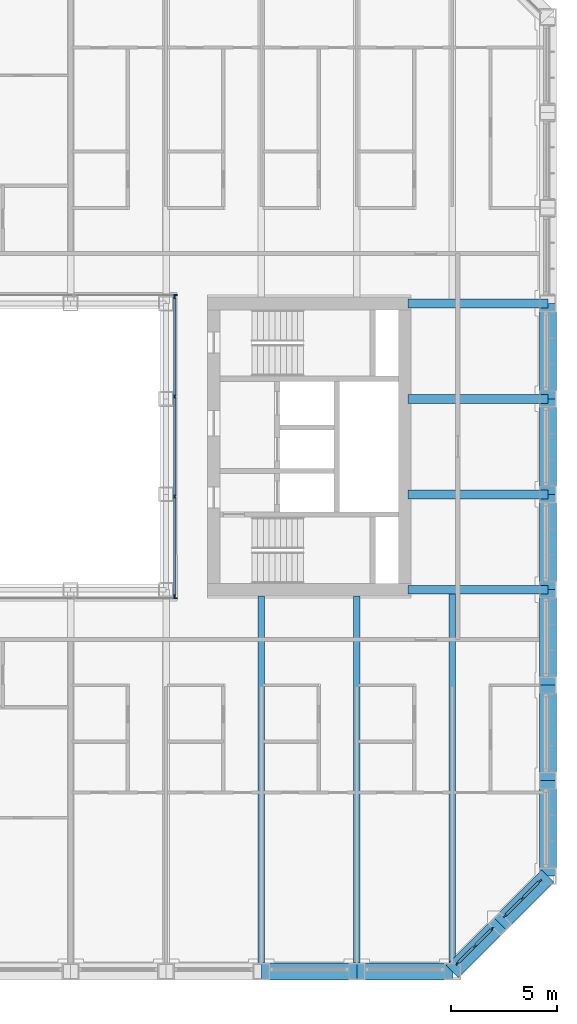
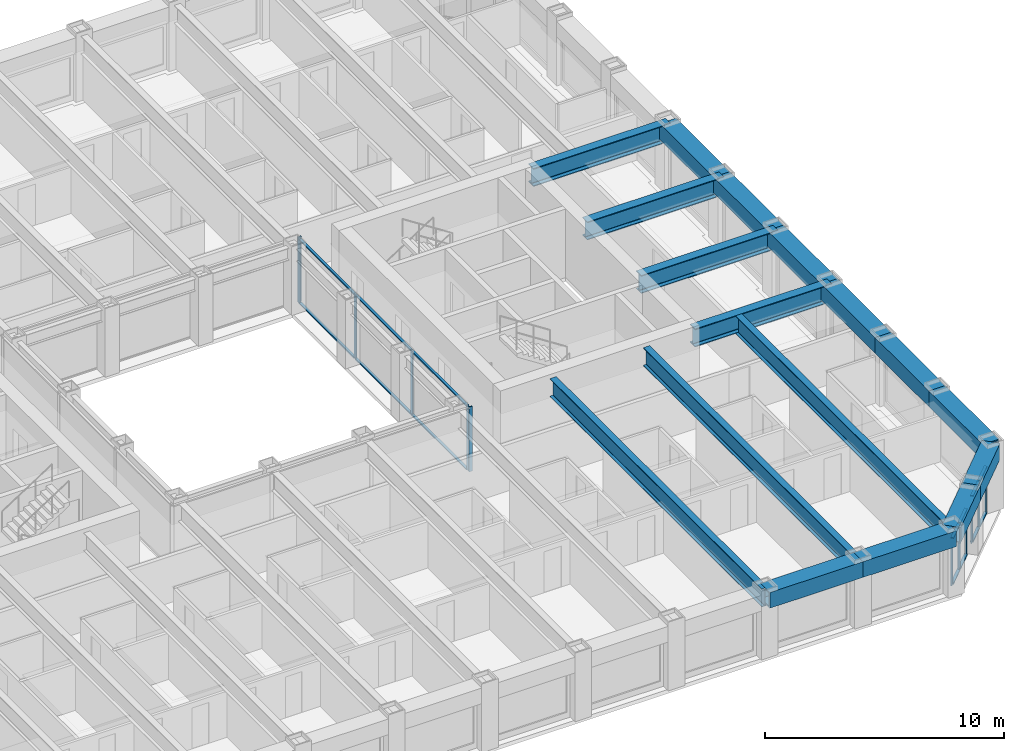
# One storey, part 5 of 21: 26 members, 17 beams, 5 elements without a shape of their own.
"""IFC4 building model written with IfcOpenShell, lengths in metres."""

from ifc_helpers import new_model, si_unit, direction, frame, origin, origin_2d, place, context, subcontext, project, spatial, rectangle, hollow_rectangle, i_section, extrude, material, material_profile, profile_set, type_object, element, aggregate, save


model = new_model("IFC4")

# Units and contexts
model_context = context("Model", 3, precision=1e-05, world=origin(), true_north=direction((0.0, 1.0)))
body_context = subcontext(model_context, "Body", "Model", "MODEL_VIEW")
ifc_project = project(units=[si_unit("LENGTHUNIT", "METRE"), si_unit("AREAUNIT", "SQUARE_METRE"), si_unit("VOLUMEUNIT", "CUBIC_METRE"), si_unit("PLANEANGLEUNIT", "RADIAN"), si_unit("MASSUNIT", "GRAM", prefix="KILO")], contexts=[model_context])

# Site, building, storey
site_placement = place(None, origin())
site = spatial("IfcSite", under=ifc_project, at=site_placement, CompositionType="ELEMENT")
building_placement = place(site_placement, origin())
building = spatial("IfcBuilding", under=site, at=building_placement, Name="Msasa Ring Tower", CompositionType="ELEMENT")
storey_placement = place(building_placement, frame((0.0, 0.0, 100.0)))
storey = spatial("IfcBuildingStorey", under=building, at=storey_placement, Name="L26", CompositionType="ELEMENT", Elevation=100.0)

# Curtain wall, members
ifc_material_1 = material(Name="Aluminium curtain wall with clear glass", Category="aluminium")
curtain_wall_type_1 = type_object("IfcCurtainWallType", Name="CW-C CHAMFER CORNER CURTAIN WALL", PredefinedType="NOTDEFINED", material=ifc_material_1)
curtain_wall_1_placement = place(storey_placement, origin())
curtain_wall_1 = element("IfcCurtainWall", 1, at=curtain_wall_1_placement, inside=storey, type_object=curtain_wall_type_1, Name="Chamfer corner curtain wall SE L26", PredefinedType="NOTDEFINED")
ifc_material_2 = material(Name="Aluminium mullion", Category="aluminium")
ifc_material_profile_1 = material_profile(ifc_material_2, rectangle(XDim=0.06494140625, YDim=0.179931640625, at=origin_2d()), Name="AL 65x180")
ifc_profile_set_1 = profile_set([ifc_material_profile_1], Name="Aluminium mullion")
member_type_1 = type_object("IfcMemberType", Name="CW-C MULLION 65x180", PredefinedType="MULLION", material=ifc_profile_set_1)
member_1_placement = place(storey_placement, frame((20.48876953125, -24.369873046875, 0.0), z_axis=(0.0, 0.0, 1.0), x_axis=(-0.707106781187, 0.707106781187, 0.0)))
member_1 = element("IfcMember", 2, at=member_1_placement, type_object=member_type_1, Name="CW-C mullion 1", PredefinedType="MULLION", context=body_context, shape_type="SweptSolid", body=[
    extrude(rectangle(XDim=0.06494140625, YDim=0.179931640625, at=origin_2d()), origin(), (0.0, 0.0, 1.0), 2.37890625),
])
member_2_placement = place(storey_placement, frame((21.30419921875, -23.55419921875, 0.0), z_axis=(0.0, 0.0, 1.0), x_axis=(-0.707106781187, 0.707106781187, 0.0)))
member_2 = element("IfcMember", 3, at=member_2_placement, type_object=member_type_1, Name="CW-C mullion 2", PredefinedType="MULLION", context=body_context, shape_type="SweptSolid", body=[
    extrude(rectangle(XDim=0.06494140625, YDim=0.179931640625, at=origin_2d()), origin(), (0.0, 0.0, 1.0), 2.37890625),
])
member_3_placement = place(storey_placement, frame((22.119873046875, -22.73876953125, 0.0), z_axis=(0.0, 0.0, 1.0), x_axis=(-0.707106781187, 0.707106781187, 0.0)))
member_3 = element("IfcMember", 4, at=member_3_placement, type_object=member_type_1, Name="CW-C mullion 3", PredefinedType="MULLION", context=body_context, shape_type="SweptSolid", body=[
    extrude(rectangle(XDim=0.06494140625, YDim=0.179931640625, at=origin_2d()), origin(), (0.0, 0.0, 1.0), 2.37890625),
])

curtain_wall_2_placement = place(storey_placement, origin())
curtain_wall_2 = element("IfcCurtainWall", 5, at=curtain_wall_2_placement, inside=storey, type_object=curtain_wall_type_1, Name="Chamfer corner curtain wall SE L26", PredefinedType="NOTDEFINED")
member_4_placement = place(storey_placement, frame((22.73876953125, -22.119873046875, 0.0), z_axis=(0.0, 0.0, 1.0), x_axis=(-0.707106781187, 0.707106781187, 0.0)))
member_4 = element("IfcMember", 6, at=member_4_placement, type_object=member_type_1, Name="CW-C mullion 1", PredefinedType="MULLION", context=body_context, shape_type="SweptSolid", body=[
    extrude(rectangle(XDim=0.06494140625, YDim=0.179931640625, at=origin_2d()), origin(), (0.0, 0.0, 1.0), 2.37890625),
])
member_5_placement = place(storey_placement, frame((23.55419921875, -21.30419921875, 0.0), z_axis=(0.0, 0.0, 1.0), x_axis=(-0.707106781187, 0.707106781187, 0.0)))
member_5 = element("IfcMember", 7, at=member_5_placement, type_object=member_type_1, Name="CW-C mullion 2", PredefinedType="MULLION", context=body_context, shape_type="SweptSolid", body=[
    extrude(rectangle(XDim=0.06494140625, YDim=0.179931640625, at=origin_2d()), origin(), (0.0, 0.0, 1.0), 2.37890625),
])
member_6_placement = place(storey_placement, frame((24.369873046875, -20.48876953125, 0.0), z_axis=(0.0, 0.0, 1.0), x_axis=(-0.707106781187, 0.707106781187, 0.0)))
member_6 = element("IfcMember", 8, at=member_6_placement, type_object=member_type_1, Name="CW-C mullion 3", PredefinedType="MULLION", context=body_context, shape_type="SweptSolid", body=[
    extrude(rectangle(XDim=0.06494140625, YDim=0.179931640625, at=origin_2d()), origin(), (0.0, 0.0, 1.0), 2.37890625),
])

# Member
ifc_material_3 = material(Name="Aluminium transom", Category="aluminium")
ifc_material_profile_2 = material_profile(ifc_material_3, rectangle(XDim=0.139892578125, YDim=0.06494140625, at=origin_2d()), Name="AL 65x140")
ifc_profile_set_2 = profile_set([ifc_material_profile_2], Name="Aluminium transom")
member_type_2 = type_object("IfcMemberType", Name="CW-C TRANSOM 65x140", PredefinedType="USERDEFINED", material=ifc_profile_set_2)
member_7_placement = place(storey_placement, frame((20.51171875, -24.346923828125, 0.032470703125), z_axis=(0.707106781187, 0.707106781187, 0.0), x_axis=(-0.707106781187, 0.707106781187, 0.0)))
member_7 = element("IfcMember", 9, at=member_7_placement, type_object=member_type_2, Name="CW-C transom 1.1", ObjectType="TRANSOM", PredefinedType="USERDEFINED", context=body_context, shape_type="SweptSolid", body=[
    extrude(rectangle(XDim=0.139892578125, YDim=0.06494140625, at=origin_2d()), origin(), (0.0, 0.0, 1.0), 1.08837890625),
])

member_8_placement = place(storey_placement, frame((20.51171875, -24.346923828125, 2.346435546875), z_axis=(0.707106781187, 0.707106781187, 0.0), x_axis=(-0.707106781187, 0.707106781187, 0.0)))
member_8 = element("IfcMember", 10, at=member_8_placement, type_object=member_type_2, Name="CW-C transom 1.2", ObjectType="TRANSOM", PredefinedType="USERDEFINED", context=body_context, shape_type="SweptSolid", body=[
    extrude(rectangle(XDim=0.139892578125, YDim=0.06494140625, at=origin_2d()), origin(), (0.0, 0.0, 1.0), 1.08837890625),
])

member_9_placement = place(storey_placement, frame((21.327392578125, -23.53125, 0.032470703125), z_axis=(0.707106781187, 0.707106781187, 0.0), x_axis=(-0.707106781187, 0.707106781187, 0.0)))
member_9 = element("IfcMember", 11, at=member_9_placement, type_object=member_type_2, Name="CW-C transom 2.1", ObjectType="TRANSOM", PredefinedType="USERDEFINED", context=body_context, shape_type="SweptSolid", body=[
    extrude(rectangle(XDim=0.139892578125, YDim=0.06494140625, at=origin_2d()), origin(), (0.0, 0.0, 1.0), 1.08837890625),
])

member_10_placement = place(storey_placement, frame((21.327392578125, -23.53125, 2.346435546875), z_axis=(0.707106781187, 0.707106781187, 0.0), x_axis=(-0.707106781187, 0.707106781187, 0.0)))
member_10 = element("IfcMember", 12, at=member_10_placement, type_object=member_type_2, Name="CW-C transom 2.2", ObjectType="TRANSOM", PredefinedType="USERDEFINED", context=body_context, shape_type="SweptSolid", body=[
    extrude(rectangle(XDim=0.139892578125, YDim=0.06494140625, at=origin_2d()), origin(), (0.0, 0.0, 1.0), 1.08837890625),
])

aggregate(curtain_wall_1, [member_1, member_2, member_3, member_7, member_8, member_9, member_10])

member_11_placement = place(storey_placement, frame((22.76171875, -22.096923828125, 0.032470703125), z_axis=(0.707106781187, 0.707106781187, 0.0), x_axis=(-0.707106781187, 0.707106781187, 0.0)))
member_11 = element("IfcMember", 13, at=member_11_placement, type_object=member_type_2, Name="CW-C transom 1.1", ObjectType="TRANSOM", PredefinedType="USERDEFINED", context=body_context, shape_type="SweptSolid", body=[
    extrude(rectangle(XDim=0.139892578125, YDim=0.06494140625, at=origin_2d()), origin(), (0.0, 0.0, 1.0), 1.08837890625),
])

member_12_placement = place(storey_placement, frame((22.76171875, -22.096923828125, 2.346435546875), z_axis=(0.707106781187, 0.707106781187, 0.0), x_axis=(-0.707106781187, 0.707106781187, 0.0)))
member_12 = element("IfcMember", 14, at=member_12_placement, type_object=member_type_2, Name="CW-C transom 1.2", ObjectType="TRANSOM", PredefinedType="USERDEFINED", context=body_context, shape_type="SweptSolid", body=[
    extrude(rectangle(XDim=0.139892578125, YDim=0.06494140625, at=origin_2d()), origin(), (0.0, 0.0, 1.0), 1.08837890625),
])

member_13_placement = place(storey_placement, frame((23.577392578125, -21.28125, 0.032470703125), z_axis=(0.707106781187, 0.707106781187, 0.0), x_axis=(-0.707106781187, 0.707106781187, 0.0)))
member_13 = element("IfcMember", 15, at=member_13_placement, type_object=member_type_2, Name="CW-C transom 2.1", ObjectType="TRANSOM", PredefinedType="USERDEFINED", context=body_context, shape_type="SweptSolid", body=[
    extrude(rectangle(XDim=0.139892578125, YDim=0.06494140625, at=origin_2d()), origin(), (0.0, 0.0, 1.0), 1.08837890625),
])

member_14_placement = place(storey_placement, frame((23.577392578125, -21.28125, 2.346435546875), z_axis=(0.707106781187, 0.707106781187, 0.0), x_axis=(-0.707106781187, 0.707106781187, 0.0)))
member_14 = element("IfcMember", 16, at=member_14_placement, type_object=member_type_2, Name="CW-C transom 2.2", ObjectType="TRANSOM", PredefinedType="USERDEFINED", context=body_context, shape_type="SweptSolid", body=[
    extrude(rectangle(XDim=0.139892578125, YDim=0.06494140625, at=origin_2d()), origin(), (0.0, 0.0, 1.0), 1.08837890625),
])

aggregate(curtain_wall_2, [member_4, member_5, member_6, member_11, member_12, member_13, member_14])

# Curtain wall, member
ifc_material_4 = material(Name="Aluminium curtain wall with clear glass", Category="aluminium")
curtain_wall_type_2 = type_object("IfcCurtainWallType", Name="CW-W LIGHT WELL CURTAIN WALL", PredefinedType="NOTDEFINED", material=ifc_material_4)
curtain_wall_3_placement = place(storey_placement, origin())
curtain_wall_3 = element("IfcCurtainWall", 17, at=curtain_wall_3_placement, inside=storey, type_object=curtain_wall_type_2, Name="Light well curtain wall N L26", PredefinedType="NOTDEFINED")
ifc_material_5 = material(Name="Aluminium mullion", Category="aluminium")
ifc_material_profile_3 = material_profile(ifc_material_5, rectangle(XDim=0.06005859375, YDim=0.159912109375, at=origin_2d()), Name="AL 60x160")
ifc_profile_set_3 = profile_set([ifc_material_profile_3], Name="Aluminium mullion")
member_type_3 = type_object("IfcMemberType", Name="CW-W MULLION 60x160", PredefinedType="MULLION", material=ifc_profile_set_3)
member_15_placement = place(storey_placement, frame((7.199951171875, 7.14990234375, 0.0), z_axis=(0.0, 0.0, 1.0), x_axis=(0.0, 1.0, 0.0)))
member_15 = element("IfcMember", 18, at=member_15_placement, type_object=member_type_3, Name="CW-W mullion 4", PredefinedType="MULLION", context=body_context, shape_type="SweptSolid", body=[
    extrude(rectangle(XDim=0.06005859375, YDim=0.159912109375, at=origin_2d()), origin(), (0.0, 0.0, 1.0), 3.300048828125),
])
aggregate(curtain_wall_3, [member_15])

curtain_wall_4_placement = place(storey_placement, origin())
curtain_wall_4 = element("IfcCurtainWall", 19, at=curtain_wall_4_placement, inside=storey, type_object=curtain_wall_type_2, Name="Light well curtain wall S L26", PredefinedType="NOTDEFINED")
member_16_placement = place(storey_placement, frame((7.199951171875, -7.14990234375, 0.0), z_axis=(0.0, 0.0, 1.0), x_axis=(0.0, 1.0, 0.0)))
member_16 = element("IfcMember", 20, at=member_16_placement, type_object=member_type_3, Name="CW-W mullion 4", PredefinedType="MULLION", context=body_context, shape_type="SweptSolid", body=[
    extrude(rectangle(XDim=0.06005859375, YDim=0.159912109375, at=origin_2d()), origin(), (0.0, 0.0, 1.0), 3.300048828125),
])
aggregate(curtain_wall_4, [member_16])

# Curtain wall, members
curtain_wall_5_placement = place(storey_placement, origin())
curtain_wall_5 = element("IfcCurtainWall", 21, at=curtain_wall_5_placement, inside=storey, type_object=curtain_wall_type_2, Name="Light well curtain wall E L26", PredefinedType="NOTDEFINED")
member_17_placement = place(storey_placement, frame((7.14990234375, -7.0400390625, 0.0), z_axis=(0.0, 0.0, 1.0), x_axis=(-1.0, 0.0, 0.0)))
member_17 = element("IfcMember", 22, at=member_17_placement, type_object=member_type_3, Name="CW-W mullion 1", PredefinedType="MULLION", context=body_context, shape_type="SweptSolid", body=[
    extrude(rectangle(XDim=0.06005859375, YDim=0.159912109375, at=origin_2d()), origin(), (0.0, 0.0, 1.0), 3.300048828125),
])
member_18_placement = place(storey_placement, frame((7.14990234375, -2.356689453125, 0.0), z_axis=(0.0, 0.0, 1.0), x_axis=(-1.0, 0.0, 0.0)))
member_18 = element("IfcMember", 23, at=member_18_placement, type_object=member_type_3, Name="CW-W mullion 2", PredefinedType="MULLION", context=body_context, shape_type="SweptSolid", body=[
    extrude(rectangle(XDim=0.06005859375, YDim=0.159912109375, at=origin_2d()), origin(), (0.0, 0.0, 1.0), 3.300048828125),
])
member_19_placement = place(storey_placement, frame((7.14990234375, 2.356689453125, 0.0), z_axis=(0.0, 0.0, 1.0), x_axis=(-1.0, 0.0, 0.0)))
member_19 = element("IfcMember", 24, at=member_19_placement, type_object=member_type_3, Name="CW-W mullion 3", PredefinedType="MULLION", context=body_context, shape_type="SweptSolid", body=[
    extrude(rectangle(XDim=0.06005859375, YDim=0.159912109375, at=origin_2d()), origin(), (0.0, 0.0, 1.0), 3.300048828125),
])
member_20_placement = place(storey_placement, frame((7.14990234375, 7.0400390625, 0.0), z_axis=(0.0, 0.0, 1.0), x_axis=(-1.0, 0.0, 0.0)))
member_20 = element("IfcMember", 25, at=member_20_placement, type_object=member_type_3, Name="CW-W mullion 4", PredefinedType="MULLION", context=body_context, shape_type="SweptSolid", body=[
    extrude(rectangle(XDim=0.06005859375, YDim=0.159912109375, at=origin_2d()), origin(), (0.0, 0.0, 1.0), 3.300048828125),
])
ifc_material_6 = material(Name="Aluminium transom", Category="aluminium")
ifc_material_profile_4 = material_profile(ifc_material_6, rectangle(XDim=0.1201171875, YDim=0.06005859375, at=origin_2d()), Name="AL 60x120")
ifc_profile_set_4 = profile_set([ifc_material_profile_4], Name="Aluminium transom")
member_type_4 = type_object("IfcMemberType", Name="CW-W TRANSOM 60x120", PredefinedType="USERDEFINED", material=ifc_profile_set_4)
member_21_placement = place(storey_placement, frame((7.14990234375, -7.010009765625, 0.030029296875), z_axis=(0.0, 1.0, 0.0), x_axis=(-1.0, 0.0, 0.0)))
member_21 = element("IfcMember", 26, at=member_21_placement, type_object=member_type_4, Name="CW-W transom 1.1", ObjectType="TRANSOM", PredefinedType="USERDEFINED", context=body_context, shape_type="SweptSolid", body=[
    extrude(rectangle(XDim=0.1201171875, YDim=0.06005859375, at=origin_2d()), origin(), (0.0, 0.0, 1.0), 4.623291015625),
])
member_22_placement = place(storey_placement, frame((7.14990234375, -7.010009765625, 3.27001953125), z_axis=(0.0, 1.0, 0.0), x_axis=(-1.0, 0.0, 0.0)))
member_22 = element("IfcMember", 27, at=member_22_placement, type_object=member_type_4, Name="CW-W transom 1.2", ObjectType="TRANSOM", PredefinedType="USERDEFINED", context=body_context, shape_type="SweptSolid", body=[
    extrude(rectangle(XDim=0.1201171875, YDim=0.06005859375, at=origin_2d()), origin(), (0.0, 0.0, 1.0), 4.623291015625),
])
member_23_placement = place(storey_placement, frame((7.14990234375, -2.32666015625, 0.030029296875), z_axis=(0.0, 1.0, 0.0), x_axis=(-1.0, 0.0, 0.0)))
member_23 = element("IfcMember", 28, at=member_23_placement, type_object=member_type_4, Name="CW-W transom 2.1", ObjectType="TRANSOM", PredefinedType="USERDEFINED", context=body_context, shape_type="SweptSolid", body=[
    extrude(rectangle(XDim=0.1201171875, YDim=0.06005859375, at=origin_2d()), origin(), (0.0, 0.0, 1.0), 4.6533203125),
])
member_24_placement = place(storey_placement, frame((7.14990234375, -2.32666015625, 3.27001953125), z_axis=(0.0, 1.0, 0.0), x_axis=(-1.0, 0.0, 0.0)))
member_24 = element("IfcMember", 29, at=member_24_placement, type_object=member_type_4, Name="CW-W transom 2.2", ObjectType="TRANSOM", PredefinedType="USERDEFINED", context=body_context, shape_type="SweptSolid", body=[
    extrude(rectangle(XDim=0.1201171875, YDim=0.06005859375, at=origin_2d()), origin(), (0.0, 0.0, 1.0), 4.6533203125),
])
member_25_placement = place(storey_placement, frame((7.14990234375, 2.38671875, 0.030029296875), z_axis=(0.0, 1.0, 0.0), x_axis=(-1.0, 0.0, 0.0)))
member_25 = element("IfcMember", 30, at=member_25_placement, type_object=member_type_4, Name="CW-W transom 3.1", ObjectType="TRANSOM", PredefinedType="USERDEFINED", context=body_context, shape_type="SweptSolid", body=[
    extrude(rectangle(XDim=0.1201171875, YDim=0.06005859375, at=origin_2d()), origin(), (0.0, 0.0, 1.0), 4.623291015625),
])
member_26_placement = place(storey_placement, frame((7.14990234375, 2.38671875, 3.27001953125), z_axis=(0.0, 1.0, 0.0), x_axis=(-1.0, 0.0, 0.0)))
member_26 = element("IfcMember", 31, at=member_26_placement, type_object=member_type_4, Name="CW-W transom 3.2", ObjectType="TRANSOM", PredefinedType="USERDEFINED", context=body_context, shape_type="SweptSolid", body=[
    extrude(rectangle(XDim=0.1201171875, YDim=0.06005859375, at=origin_2d()), origin(), (0.0, 0.0, 1.0), 4.623291015625),
])
aggregate(curtain_wall_5, [member_17, member_18, member_19, member_20, member_21, member_22, member_23, member_24, member_25, member_26])

# Beams
ifc_material_7 = material(Name="Steel S355", Category="steel")
ifc_material_profile_5 = material_profile(ifc_material_7, i_section(OverallWidth=0.42041015625, OverallDepth=0.9208984375, WebThickness=0.021484375, FlangeThickness=0.03662109375, FilletRadius=0.024169921875, at=origin_2d()), Name="UB 914x419x388")
ifc_profile_set_5 = profile_set([ifc_material_profile_5], Name="Steel S355")
beam_type_1 = type_object("IfcBeamType", Name="FB2 UB 914x419x388", PredefinedType="BEAM", material=ifc_profile_set_5)
for number, where, z_axis, x_axis, name in (
    (32, (24.75, -2.25, 2.839599609375), (-1.0, 0.0, 0.0), (0.0, -1.0, 0.0), "Floor beam E -2.25 under L27"),
    (33, (24.75, 2.25, 2.839599609375), (-1.0, 0.0, 0.0), (0.0, -1.0, 0.0), "Floor beam E +2.25 under L27"),
):
    element("IfcBeam", number, at=place(storey_placement, frame(where, z_axis=z_axis, x_axis=x_axis)), inside=storey, type_object=beam_type_1, Name=name, PredefinedType="BEAM", context=body_context, shape_type="SweptSolid", body=[
        extrude(i_section(OverallWidth=0.42041015625, OverallDepth=0.9208984375, WebThickness=0.021484375, FlangeThickness=0.03662109375, FilletRadius=0.024169921875, at=origin_2d()), origin(), (0.0, 0.0, 1.0), 6.60009765625),
    ])
ifc_material_8 = material(Name="Steel S355", Category="steel")
ifc_material_profile_6 = material_profile(ifc_material_8, i_section(OverallWidth=0.3076171875, OverallDepth=0.926513671875, WebThickness=0.01953125, FlangeThickness=0.031982421875, FilletRadius=0.01904296875, at=origin_2d()), Name="UB 914x305x289")
ifc_profile_set_6 = profile_set([ifc_material_profile_6], Name="Steel S355")
beam_type_2 = type_object("IfcBeamType", Name="FB3 UB 914x305x289", PredefinedType="BEAM", material=ifc_profile_set_6)
for number, where, z_axis, x_axis, name in (
    (34, (11.25, -24.75, 2.836669921875), (0.0, 1.0, 0.0), (-1.0, 0.0, 0.0), "Floor beam S+11.25 under L27"),
    (35, (15.75, -24.75, 2.836669921875), (0.0, 1.0, 0.0), (-1.0, 0.0, 0.0), "Floor beam S+15.75 under L27"),
):
    element("IfcBeam", number, at=place(storey_placement, frame(where, z_axis=z_axis, x_axis=x_axis)), inside=storey, type_object=beam_type_2, Name=name, PredefinedType="BEAM", context=body_context, shape_type="SweptSolid", body=[
        extrude(i_section(OverallWidth=0.3076171875, OverallDepth=0.926513671875, WebThickness=0.01953125, FlangeThickness=0.031982421875, FilletRadius=0.01904296875, at=origin_2d()), origin(), (0.0, 0.0, 1.0), 17.699951171875),
    ])
beam_placement = place(storey_placement, frame((20.25, -24.75, 2.836669921875), z_axis=(0.0, 1.0, 0.0), x_axis=(-1.0, 0.0, 0.0)))
element("IfcBeam", 36, at=beam_placement, inside=storey, type_object=beam_type_2, Name="Floor beam S+20.25 under L27", PredefinedType="BEAM", context=body_context, shape_type="SweptSolid", body=[
    extrude(i_section(OverallWidth=0.3076171875, OverallDepth=0.926513671875, WebThickness=0.01953125, FlangeThickness=0.031982421875, FilletRadius=0.01904296875, at=origin_2d()), origin(), (0.0, 0.0, 1.0), 17.789794921875),
])
ifc_material_9 = material(Name="Steel S355", Category="steel")
ifc_material_profile_7 = material_profile(ifc_material_9, i_section(OverallWidth=0.42041015625, OverallDepth=0.9208984375, WebThickness=0.021484375, FlangeThickness=0.03662109375, FilletRadius=0.024169921875, at=origin_2d()), Name="UB 914x419x388")
ifc_profile_set_7 = profile_set([ifc_material_profile_7], Name="Steel S355")
beam_type_3 = type_object("IfcBeamType", Name="GB1 UB 914x419x388", PredefinedType="BEAM", material=ifc_profile_set_7)
for number, where, z_axis, x_axis, name in (
    (37, (18.14990234375, 6.75, 2.839599609375), (1.0, 0.0, 0.0), (0.0, 1.0, 0.0), "Girder E +6.75 under L27"),
    (38, (18.14990234375, -6.75, 2.839599609375), (1.0, 0.0, 0.0), (0.0, 1.0, 0.0), "Girder E -6.75 under L27"),
):
    element("IfcBeam", number, at=place(storey_placement, frame(where, z_axis=z_axis, x_axis=x_axis)), inside=storey, type_object=beam_type_3, Name=name, PredefinedType="BEAM", context=body_context, shape_type="SweptSolid", body=[
        extrude(i_section(OverallWidth=0.42041015625, OverallDepth=0.9208984375, WebThickness=0.021484375, FlangeThickness=0.03662109375, FilletRadius=0.024169921875, at=origin_2d()), origin(), (0.0, 0.0, 1.0), 6.60009765625),
    ])
ifc_material_10 = material(Name="Steel S355", Category="steel")
ifc_material_profile_8 = material_profile(ifc_material_10, hollow_rectangle(XDim=0.800048828125, YDim=0.800048828125, WallThickness=0.06005859375, at=origin_2d()), Name="BOX 800x800x60")
ifc_profile_set_8 = profile_set([ifc_material_profile_8], Name="Steel S355")
beam_type_4 = type_object("IfcBeamType", Name="SB3 BOX 800x800x60", PredefinedType="SPANDREL", material=ifc_profile_set_8)
for number, where, z_axis, x_axis, name in (
    (39, (11.25, -24.75, 2.89990234375), (1.0, 0.0, 0.0), (0.0, 1.0, 0.0), "Spandrel S+11.25 to S+15.75 under L27"),
    (40, (15.75, -24.75, 2.89990234375), (1.0, 0.0, 0.0), (0.0, 1.0, 0.0), "Spandrel S+15.75 to S+20.25 under L27"),
):
    element("IfcBeam", number, at=place(storey_placement, frame(where, z_axis=z_axis, x_axis=x_axis)), inside=storey, type_object=beam_type_4, Name=name, PredefinedType="SPANDREL", context=body_context, shape_type="SweptSolid", body=[
        extrude(hollow_rectangle(XDim=0.800048828125, YDim=0.800048828125, WallThickness=0.06005859375, at=origin_2d()), origin(), (0.0, 0.0, 1.0), 4.5),
    ])
for number, where, z_axis, x_axis, name in (
    (41, (20.25, -24.75, 2.89990234375), (0.707106781187, 0.707106781187, 0.0), (-0.707106781187, 0.707106781187, 0.0), "Spandrel S+20.25 to SE under L27"),
    (42, (22.5, -22.5, 2.89990234375), (0.707106781187, 0.707106781187, 0.0), (-0.707106781187, 0.707106781187, 0.0), "Spandrel SE to E-20.25 under L27"),
):
    element("IfcBeam", number, at=place(storey_placement, frame(where, z_axis=z_axis, x_axis=x_axis)), inside=storey, type_object=beam_type_4, Name=name, PredefinedType="SPANDREL", context=body_context, shape_type="SweptSolid", body=[
        extrude(hollow_rectangle(XDim=0.800048828125, YDim=0.800048828125, WallThickness=0.06005859375, at=origin_2d()), origin(), (0.0, 0.0, 1.0), 3.181884765625),
    ])
for number, where, z_axis, x_axis, name in (
    (43, (24.75, -20.25, 2.89990234375), (0.0, 1.0, 0.0), (-1.0, 0.0, 0.0), "Spandrel E-20.25 to E-15.75 under L27"),
    (44, (24.75, -15.75, 2.89990234375), (0.0, 1.0, 0.0), (-1.0, 0.0, 0.0), "Spandrel E-15.75 to E-11.25 under L27"),
    (45, (24.75, -11.25, 2.89990234375), (0.0, 1.0, 0.0), (-1.0, 0.0, 0.0), "Spandrel E-11.25 to E-6.75 under L27"),
    (46, (24.75, -6.75, 2.89990234375), (0.0, 1.0, 0.0), (-1.0, 0.0, 0.0), "Spandrel E-6.75 to E-2.25 under L27"),
    (47, (24.75, -2.25, 2.89990234375), (0.0, 1.0, 0.0), (-1.0, 0.0, 0.0), "Spandrel E-2.25 to E+2.25 under L27"),
    (48, (24.75, 2.25, 2.89990234375), (0.0, 1.0, 0.0), (-1.0, 0.0, 0.0), "Spandrel E+2.25 to E+6.75 under L27"),
):
    element("IfcBeam", number, at=place(storey_placement, frame(where, z_axis=z_axis, x_axis=x_axis)), inside=storey, type_object=beam_type_4, Name=name, PredefinedType="SPANDREL", context=body_context, shape_type="SweptSolid", body=[
        extrude(hollow_rectangle(XDim=0.800048828125, YDim=0.800048828125, WallThickness=0.06005859375, at=origin_2d()), origin(), (0.0, 0.0, 1.0), 4.5),
    ])

save(model, "model.ifc")
